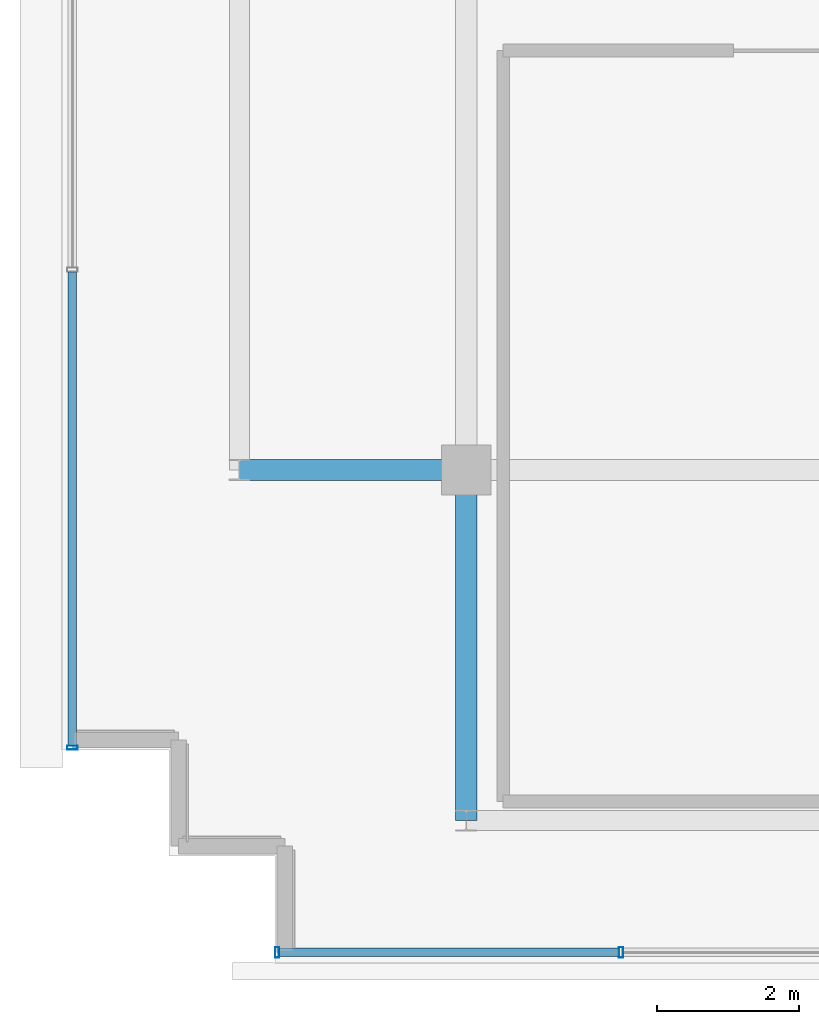
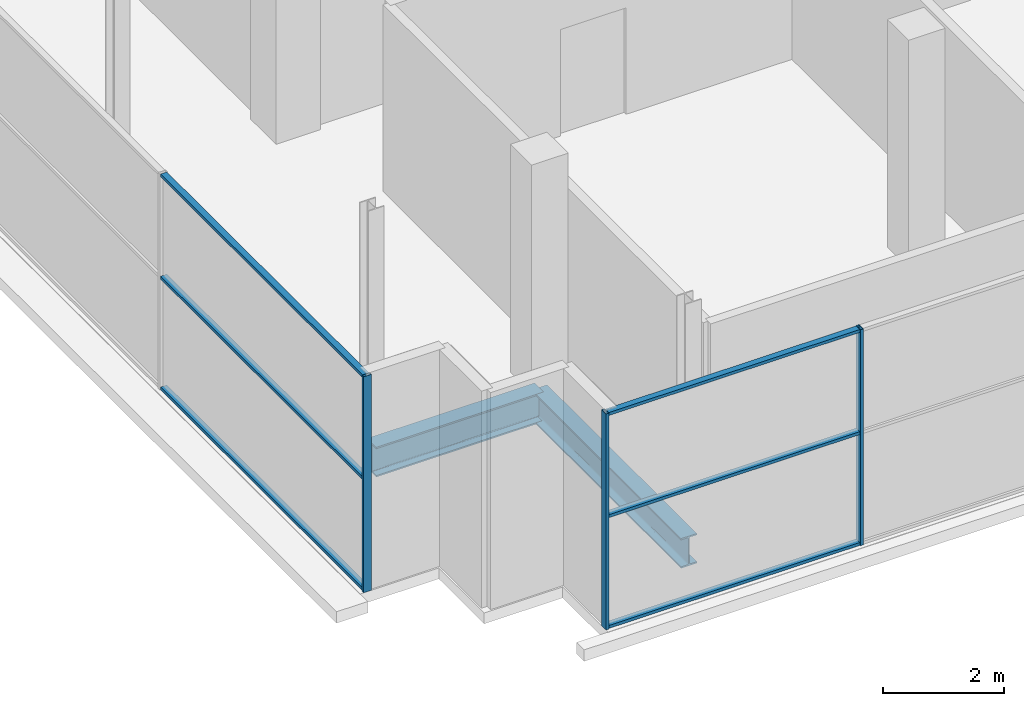
# One storey, part 3 of 28: 9 members, 2 beams, 2 elements without a shape of their own.
"""IFC4 building model written with IfcOpenShell, lengths in metres."""

from ifc_helpers import new_model, si_unit, direction, frame, origin, origin_2d, place, context, subcontext, project, spatial, hollow_rectangle, i_section, extrude, source, transform, mapped, material, layer, layer_set, material_profile, profile_set, type_object, element, aggregate, save


model = new_model("IFC4")

# Units and contexts
model_context = context("Model", 3, precision=1e-05, world=origin(), true_north=direction((0.0, 1.0)))
body_context = subcontext(model_context, "Body", "Model", "MODEL_VIEW")
ifc_project = project(units=[si_unit("LENGTHUNIT", "METRE"), si_unit("AREAUNIT", "SQUARE_METRE"), si_unit("VOLUMEUNIT", "CUBIC_METRE"), si_unit("PLANEANGLEUNIT", "RADIAN"), si_unit("MASSUNIT", "GRAM", prefix="KILO")], contexts=[model_context])

# Site, building, storey
site_placement = place(None, origin())
site = spatial("IfcSite", under=ifc_project, at=site_placement, CompositionType="ELEMENT")
building_placement = place(site_placement, origin())
building = spatial("IfcBuilding", under=site, at=building_placement, Name="Zarnakvel Exchange Tower", CompositionType="ELEMENT")
storey_placement = place(building_placement, frame((0.0, 0.0, 276.199951171875)))
storey = spatial("IfcBuildingStorey", under=building, at=storey_placement, Name="Crown L78", CompositionType="ELEMENT", Elevation=276.199951171875)

# Beams
ifc_material_1 = material(Name="Steel S355", Category="steel")
ifc_material_profile_1 = material_profile(ifc_material_1, i_section(OverallWidth=0.300048828125, OverallDepth=0.60009765625, WebThickness=0.015380859375, FlangeThickness=0.030029296875, FilletRadius=0.027099609375, at=origin_2d()))
ifc_profile_set_1 = profile_set([ifc_material_profile_1], Name="Steel S355")
beam_type = type_object("IfcBeamType", Name="G-04", PredefinedType="BEAM", material=ifc_profile_set_1)
beam_1_placement = place(storey_placement, frame((-17.60009765625, -9.60009765625, -0.52001953125), z_axis=(1.0, 0.0, 0.0), x_axis=(0.0, 1.0, 0.0)))
element("IfcBeam", 1, at=beam_1_placement, inside=storey, type_object=beam_type, Name="Crown L78 Tower E-W Frame Beam", PredefinedType="BEAM", context=body_context, shape_type="SweptSolid", body=[
    extrude(i_section(OverallWidth=0.300048828125, OverallDepth=0.60009765625, WebThickness=0.015380859375, FlangeThickness=0.030029296875, FilletRadius=0.027099609375, at=origin_2d()), origin(), (0.0, 0.0, 1.0), 3.2001953125),
])
beam_2_placement = place(storey_placement, frame((-14.39990234375, -14.550048828125, -0.52001953125), z_axis=(0.0, 1.0, 0.0), x_axis=(-1.0, 0.0, 0.0)))
element("IfcBeam", 2, at=beam_2_placement, inside=storey, type_object=beam_type, Name="Crown L78 Tower N-S Frame Beam", PredefinedType="BEAM", context=body_context, shape_type="SweptSolid", body=[
    extrude(i_section(OverallWidth=0.300048828125, OverallDepth=0.60009765625, WebThickness=0.015380859375, FlangeThickness=0.030029296875, FilletRadius=0.027099609375, at=origin_2d()), origin(), (0.0, 0.0, 1.0), 4.949951171875),
])

# Curtain wall, members
ifc_material_2 = material(Name="Architectural Bronze Anodised Aluminium", Category="aluminium")
ifc_layer = layer(ifc_material_2, 0.14990234375)
ifc_layer_set = layer_set([ifc_layer], Name="Architectural Bronze Anodised Aluminium")
curtain_wall_type = type_object("IfcCurtainWallType", Name="CW-07", PredefinedType="NOTDEFINED", material=ifc_layer_set)
curtain_wall_1_placement = place(storey_placement, origin())
curtain_wall_1 = element("IfcCurtainWall", 3, at=curtain_wall_1_placement, inside=storey, type_object=curtain_wall_type, Name="Crown L78 Curtain Wall CW-Crown L78-S (CW-07)", PredefinedType="NOTDEFINED")
ifc_material_profile_2 = material_profile(ifc_material_2, hollow_rectangle(XDim=0.14990234375, YDim=0.06005859375, WallThickness=0.00390625, at=origin_2d()))
ifc_profile_set_2 = profile_set([ifc_material_profile_2], Name="Architectural Bronze Anodised Aluminium")
member_type_1 = type_object("IfcMemberType", Name="CWM-07", PredefinedType="MULLION", material=ifc_profile_set_2)
shared_shape_1 = source(origin(), body_context, "Body", "SweptSolid", [
    extrude(hollow_rectangle(XDim=0.14990234375, YDim=0.06005859375, WallThickness=0.00390625, at=origin_2d()), origin(), (0.0, 0.0, 1.0), 4.360107421875),
])
member_1_placement = place(storey_placement, frame((-17.070068359375, -16.409912109375, 0.0), z_axis=(0.0, 0.0, 1.0), x_axis=(0.0, 1.0, 0.0)))
member_1 = element("IfcMember", 4, at=member_1_placement, type_object=member_type_1, Name="CW-07 mullion 1", PredefinedType="MULLION", context=body_context, shape_type="MappedRepresentation", body=[
    mapped(shared_shape_1, transform((0.0, 0.0, 0.0), x_axis=(1.0, 0.0, 0.0), y_axis=(0.0, 1.0, 0.0), z_axis=(0.0, 0.0, 1.0), scale=1.0)),
])
member_2_placement = place(storey_placement, frame((-12.21435546875, -16.409912109375, 0.0), z_axis=(0.0, 0.0, 1.0), x_axis=(0.0, 1.0, 0.0)))
member_2 = element("IfcMember", 5, at=member_2_placement, type_object=member_type_1, Name="CW-07 mullion 2", PredefinedType="MULLION", context=body_context, shape_type="MappedRepresentation", body=[
    mapped(shared_shape_1, transform((0.0, 0.0, 0.0), x_axis=(1.0, 0.0, 0.0), y_axis=(0.0, 1.0, 0.0), z_axis=(0.0, 0.0, 1.0), scale=1.0)),
])

# Curtain wall, member
curtain_wall_2_placement = place(storey_placement, origin())
curtain_wall_2 = element("IfcCurtainWall", 6, at=curtain_wall_2_placement, inside=storey, type_object=curtain_wall_type, Name="Crown L78 Curtain Wall CW-Crown L78-W (CW-07)", PredefinedType="NOTDEFINED")
member_3_placement = place(storey_placement, frame((-19.9599609375, -13.52001953125, 0.0), z_axis=(0.0, 0.0, 1.0), x_axis=(-1.0, 0.0, 0.0)))
member_3 = element("IfcMember", 7, at=member_3_placement, type_object=member_type_1, Name="CW-07 mullion 1", PredefinedType="MULLION", context=body_context, shape_type="MappedRepresentation", body=[
    mapped(shared_shape_1, transform((0.0, 0.0, 0.0), x_axis=(1.0, 0.0, 0.0), y_axis=(0.0, 1.0, 0.0), z_axis=(0.0, 0.0, 1.0), scale=1.0)),
])

# Member
ifc_material_profile_3 = material_profile(ifc_material_2, hollow_rectangle(XDim=0.1201171875, YDim=0.06005859375, WallThickness=0.00390625, at=origin_2d()))
ifc_profile_set_3 = profile_set([ifc_material_profile_3], Name="Architectural Bronze Anodised Aluminium")
member_type_2 = type_object("IfcMemberType", Name="CWT-07", PredefinedType="USERDEFINED", material=ifc_profile_set_3)
shared_shape_2 = source(origin(), body_context, "Body", "SweptSolid", [
    extrude(hollow_rectangle(XDim=0.1201171875, YDim=0.06005859375, WallThickness=0.00390625, at=origin_2d()), origin(), (0.0, 0.0, 1.0), 4.795654296875),
])
member_4_placement = place(storey_placement, frame((-17.0400390625, -16.409912109375, 0.030029296875), z_axis=(1.0, 0.0, 0.0), x_axis=(0.0, 1.0, 0.0)))
member_4 = element("IfcMember", 8, at=member_4_placement, type_object=member_type_2, Name="CW-07 transom 1.1", ObjectType="TRANSOM", PredefinedType="USERDEFINED", context=body_context, shape_type="MappedRepresentation", body=[
    mapped(shared_shape_2, transform((0.0, 0.0, 0.0), x_axis=(1.0, 0.0, 0.0), y_axis=(0.0, 1.0, 0.0), z_axis=(0.0, 0.0, 1.0), scale=1.0)),
])

member_5_placement = place(storey_placement, frame((-17.0400390625, -16.409912109375, 2.267333984375), z_axis=(1.0, 0.0, 0.0), x_axis=(0.0, 1.0, 0.0)))
member_5 = element("IfcMember", 9, at=member_5_placement, type_object=member_type_2, Name="CW-07 transom 1.2", ObjectType="TRANSOM", PredefinedType="USERDEFINED", context=body_context, shape_type="MappedRepresentation", body=[
    mapped(shared_shape_2, transform((0.0, 0.0, 0.0), x_axis=(1.0, 0.0, 0.0), y_axis=(0.0, 1.0, 0.0), z_axis=(0.0, 0.0, 1.0), scale=1.0)),
])

member_6_placement = place(storey_placement, frame((-17.0400390625, -16.409912109375, 4.330078125), z_axis=(1.0, 0.0, 0.0), x_axis=(0.0, 1.0, 0.0)))
member_6 = element("IfcMember", 10, at=member_6_placement, type_object=member_type_2, Name="CW-07 transom 1.3", ObjectType="TRANSOM", PredefinedType="USERDEFINED", context=body_context, shape_type="MappedRepresentation", body=[
    mapped(shared_shape_2, transform((0.0, 0.0, 0.0), x_axis=(1.0, 0.0, 0.0), y_axis=(0.0, 1.0, 0.0), z_axis=(0.0, 0.0, 1.0), scale=1.0)),
])

aggregate(curtain_wall_1, [member_1, member_2, member_4, member_5, member_6])

shared_shape_3 = source(origin(), body_context, "Body", "SweptSolid", [
    extrude(hollow_rectangle(XDim=0.1201171875, YDim=0.06005859375, WallThickness=0.00390625, at=origin_2d()), origin(), (0.0, 0.0, 1.0), 6.68505859375),
])
member_7_placement = place(storey_placement, frame((-19.9599609375, -13.489990234375, 0.030029296875), z_axis=(0.0, 1.0, 0.0), x_axis=(-1.0, 0.0, 0.0)))
member_7 = element("IfcMember", 11, at=member_7_placement, type_object=member_type_2, Name="CW-07 transom 1.1", ObjectType="TRANSOM", PredefinedType="USERDEFINED", context=body_context, shape_type="MappedRepresentation", body=[
    mapped(shared_shape_3, transform((0.0, 0.0, 0.0), x_axis=(1.0, 0.0, 0.0), y_axis=(0.0, 1.0, 0.0), z_axis=(0.0, 0.0, 1.0), scale=1.0)),
])

member_8_placement = place(storey_placement, frame((-19.9599609375, -13.489990234375, 2.267333984375), z_axis=(0.0, 1.0, 0.0), x_axis=(-1.0, 0.0, 0.0)))
member_8 = element("IfcMember", 12, at=member_8_placement, type_object=member_type_2, Name="CW-07 transom 1.2", ObjectType="TRANSOM", PredefinedType="USERDEFINED", context=body_context, shape_type="MappedRepresentation", body=[
    mapped(shared_shape_3, transform((0.0, 0.0, 0.0), x_axis=(1.0, 0.0, 0.0), y_axis=(0.0, 1.0, 0.0), z_axis=(0.0, 0.0, 1.0), scale=1.0)),
])

member_9_placement = place(storey_placement, frame((-19.9599609375, -13.489990234375, 4.330078125), z_axis=(0.0, 1.0, 0.0), x_axis=(-1.0, 0.0, 0.0)))
member_9 = element("IfcMember", 13, at=member_9_placement, type_object=member_type_2, Name="CW-07 transom 1.3", ObjectType="TRANSOM", PredefinedType="USERDEFINED", context=body_context, shape_type="MappedRepresentation", body=[
    mapped(shared_shape_3, transform((0.0, 0.0, 0.0), x_axis=(1.0, 0.0, 0.0), y_axis=(0.0, 1.0, 0.0), z_axis=(0.0, 0.0, 1.0), scale=1.0)),
])

aggregate(curtain_wall_2, [member_3, member_7, member_8, member_9])

save(model, "model.ifc")
